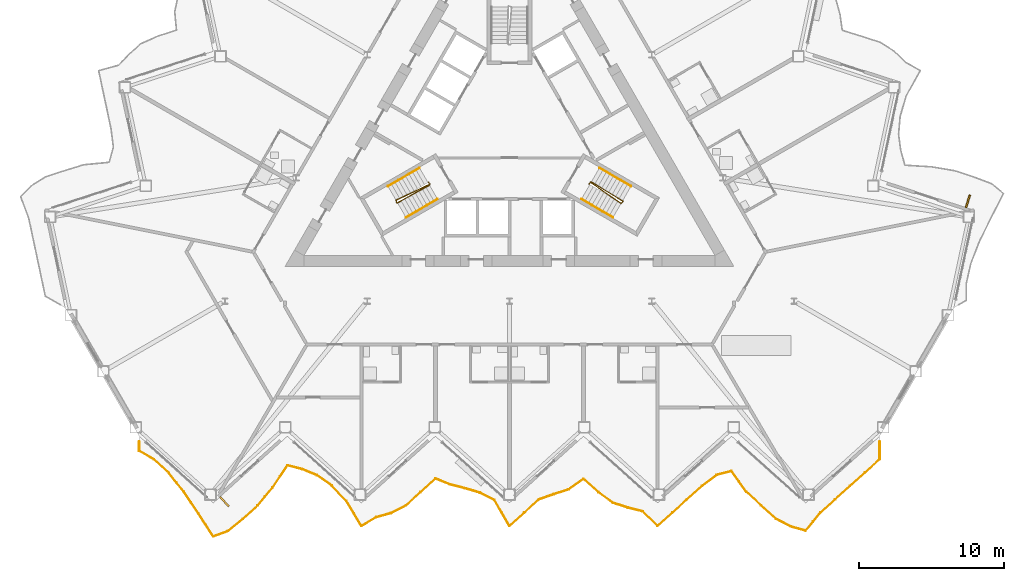
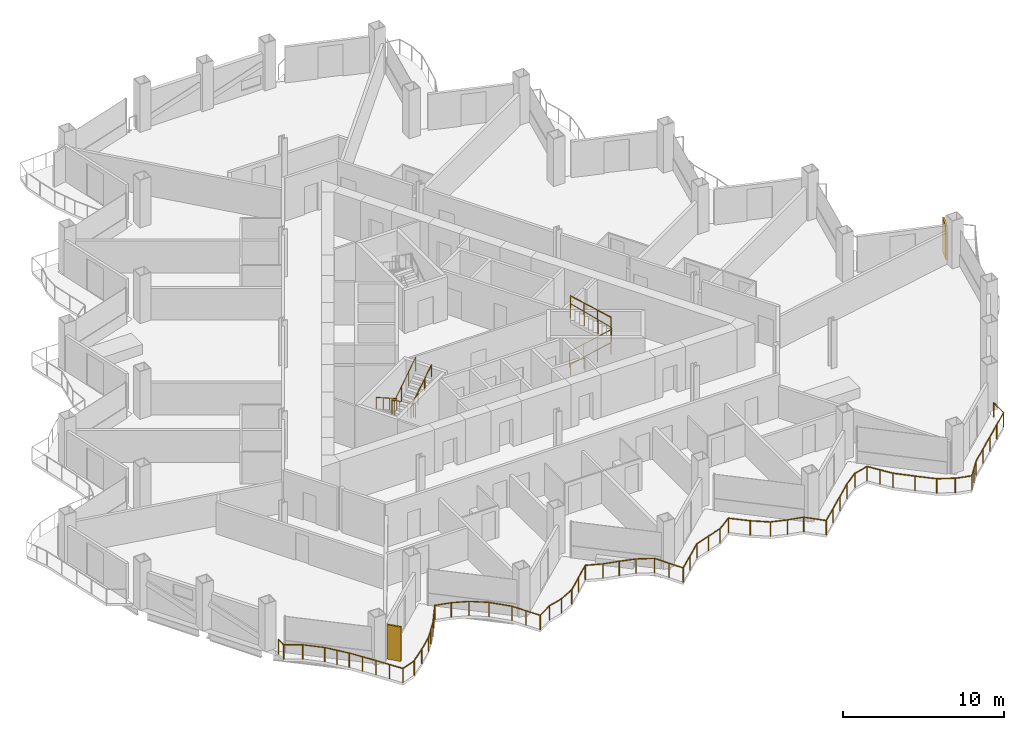
# One storey, part 19 of 23: 7 railings, 2 shading devices.
"""IFC4 building model written with IfcOpenShell, lengths in metres."""

from ifc_helpers import new_model, si_unit, direction, frame, origin, origin_2d, place, context, subcontext, project, spatial, rectangle, circle, extrude, material, layer, layer_set, type_object, element, save


model = new_model("IFC4")

# Units and contexts
model_context = context("Model", 3, precision=1e-05, world=origin(), true_north=direction((0.0, 1.0)))
body_context = subcontext(model_context, "Body", "Model", "MODEL_VIEW")
ifc_project = project(units=[si_unit("LENGTHUNIT", "METRE"), si_unit("AREAUNIT", "SQUARE_METRE"), si_unit("VOLUMEUNIT", "CUBIC_METRE"), si_unit("PLANEANGLEUNIT", "RADIAN"), si_unit("MASSUNIT", "GRAM", prefix="KILO")], contexts=[model_context])

# Site, building, storey
site_placement = place(None, origin())
site = spatial("IfcSite", under=ifc_project, at=site_placement, CompositionType="ELEMENT")
building_placement = place(site_placement, origin())
building = spatial("IfcBuilding", under=site, at=building_placement, Name="Cormorant Prow Tower", CompositionType="ELEMENT")
storey_placement = place(building_placement, frame((0.0, 0.0, 176.39990234375)))
storey = spatial("IfcBuildingStorey", under=building, at=storey_placement, Name="L37", CompositionType="ELEMENT", Elevation=176.39990234375)

# Railings
ifc_material_1 = material(Name="Aluminium 6063-T6", Category="aluminium")
railing_type_1 = type_object("IfcRailingType", Name="Balcony guard 1100", PredefinedType="GUARDRAIL", material=ifc_material_1)
railing_1_placement = place(storey_placement, frame((-25.57861328125, -21.064453125, 0.0)))
element("IfcRailing", 1, at=railing_1_placement, inside=storey, type_object=railing_type_1, Name="Balcony guard S", PredefinedType="GUARDRAIL", context=body_context, shape_type="SweptSolid", body=[
    extrude(circle(Radius=0.02392578125, at=origin_2d()), frame((0.0, 0.0, 1.076171875), z_axis=(0.0, -1.0, 0.0), x_axis=(1.0, 0.0, 0.0)), (0.0, 0.0, 1.0), 0.635986328125),
    extrude(circle(Radius=0.02392578125, at=origin_2d()), frame((0.0, -0.635986328125, 1.076171875), z_axis=(0.865369732792, -0.501133939748, 0.0), x_axis=(0.501133939748, 0.865369732792, 0.0)), (0.0, 0.0, 1.0), 1.182373046875),
    extrude(circle(Radius=0.02392578125, at=origin_2d()), frame((1.023193359375, -1.228515625, 1.076171875), z_axis=(0.737044630503, -0.675844074212, 0.0), x_axis=(0.675844074212, 0.737044630503, 0.0)), (0.0, 0.0, 1.0), 1.38818359375),
    extrude(circle(Radius=0.02392578125, at=origin_2d()), frame((2.04638671875, -2.166748046875, 1.076171875), z_axis=(0.624604168545, -0.780941503979, 0.0), x_axis=(0.780941503979, 0.624604168545, 0.0)), (0.0, 0.0, 1.0), 1.63818359375),
    extrude(circle(Radius=0.02392578125, at=origin_2d()), frame((3.069580078125, -3.446044921875, 1.076171875), z_axis=(0.558755771725, -0.829332254024, 0.0), x_axis=(0.829332254024, 0.558755771725, 0.0)), (0.0, 0.0, 1.0), 1.830810546875),
    extrude(circle(Radius=0.02392578125, at=origin_2d()), frame((4.092529296875, -4.96435546875, 1.076171875), z_axis=(0.541894185952, -0.840446721233, 0.0), x_axis=(0.840446721233, 0.541894185952, 0.0)), (0.0, 0.0, 1.0), 1.88818359375),
    extrude(circle(Radius=0.02392578125, at=origin_2d()), frame((5.11572265625, -6.55126953125, 1.076171875), z_axis=(0.938419551979, 0.345497821213, 0.0), x_axis=(-0.345497821213, 0.938419551979, 0.0)), (0.0, 0.0, 1.0), 1.09033203125),
    extrude(circle(Radius=0.02392578125, at=origin_2d()), frame((6.138916015625, -6.174560546875, 1.076171875), z_axis=(0.772600298956, 0.634892729564, 0.0), x_axis=(-0.634892729564, 0.772600298956, 0.0)), (0.0, 0.0, 1.0), 1.324462890625),
    extrude(circle(Radius=0.02392578125, at=origin_2d()), frame((7.162109375, -5.333740234375, 1.076171875), z_axis=(0.743108970185, 0.66917042555, 0.0), x_axis=(-0.66917042555, 0.743108970185, 0.0)), (0.0, 0.0, 1.0), 1.376953125),
    extrude(circle(Radius=0.02392578125, at=origin_2d()), frame((8.185302734375, -4.412353515625, 1.076171875), z_axis=(0.638534063687, 0.769593561246, 0.0), x_axis=(-0.769593561246, 0.638534063687, 0.0)), (0.0, 0.0, 1.0), 1.60205078125),
    extrude(circle(Radius=0.02392578125, at=origin_2d()), frame((9.208251953125, -3.179443359375, 1.076171875), z_axis=(0.55199216569, 0.833849296346, 0.0), x_axis=(-0.833849296346, 0.55199216569, 0.0)), (0.0, 0.0, 1.0), 1.853515625),
    extrude(circle(Radius=0.02392578125, at=origin_2d()), frame((10.2314453125, -1.6337890625, 1.076171875), z_axis=(0.968196134659, -0.250192415613, 0.0), x_axis=(0.250192415613, 0.968196134659, 0.0)), (0.0, 0.0, 1.0), 1.056884765625),
    extrude(circle(Radius=0.02392578125, at=origin_2d()), frame((11.254638671875, -1.898193359375, 1.076171875), z_axis=(0.925353395226, -0.379105650108, 0.0), x_axis=(0.379105650108, 0.925353395226, 0.0)), (0.0, 0.0, 1.0), 1.105712890625),
    extrude(circle(Radius=0.02392578125, at=origin_2d()), frame((12.27783203125, -2.3173828125, 1.076171875), z_axis=(0.818837032919, -0.574026056482, 0.0), x_axis=(0.574026056482, 0.818837032919, 0.0)), (0.0, 0.0, 1.0), 1.24951171875),
    extrude(circle(Radius=0.02392578125, at=origin_2d()), frame((13.301025390625, -3.03466796875, 1.076171875), z_axis=(0.689860705611, -0.723942129492, 0.0), x_axis=(0.723942129492, 0.689860705611, 0.0)), (0.0, 0.0, 1.0), 1.48291015625),
    extrude(circle(Radius=0.02392578125, at=origin_2d()), frame((14.323974609375, -4.108154296875, 1.076171875), z_axis=(0.511692052021, -0.859168926288, 0.0), x_axis=(0.859168926288, 0.511692052021, 0.0)), (0.0, 0.0, 1.0), 1.99951171875),
    extrude(circle(Radius=0.02392578125, at=origin_2d()), frame((15.34716796875, -5.826171875, 1.076171875), z_axis=(0.859891332532, 0.510477126065, 0.0), x_axis=(-0.510477126065, 0.859891332532, 0.0)), (0.0, 0.0, 1.0), 1.18994140625),
    extrude(circle(Radius=0.02392578125, at=origin_2d()), frame((16.370361328125, -5.21875, 1.076171875), z_axis=(0.964588333713, 0.263760016806, 0.0), x_axis=(-0.263760016806, 0.964588333713, 0.0)), (0.0, 0.0, 1.0), 1.060791015625),
    extrude(circle(Radius=0.02392578125, at=origin_2d()), frame((17.3935546875, -4.93896484375, 1.076171875), z_axis=(0.889102794107, 0.45770757205, 0.0), x_axis=(-0.45770757205, 0.889102794107, 0.0)), (0.0, 0.0, 1.0), 1.150634765625),
    extrude(circle(Radius=0.02392578125, at=origin_2d()), frame((18.41650390625, -4.412353515625, 1.076171875), z_axis=(0.743197144854, 0.669072495236, 0.0), x_axis=(-0.669072495236, 0.743197144854, 0.0)), (0.0, 0.0, 1.0), 1.376708984375),
    extrude(circle(Radius=0.02392578125, at=origin_2d()), frame((19.439697265625, -3.4912109375, 1.076171875), z_axis=(0.735819025592, 0.677178234719, 0.0), x_axis=(-0.677178234719, 0.735819025592, 0.0)), (0.0, 0.0, 1.0), 1.390625),
    extrude(circle(Radius=0.02392578125, at=origin_2d()), frame((20.462890625, -2.549560546875, 1.076171875), z_axis=(0.92843085009, -0.371505257838, 0.0), x_axis=(0.371505257838, 0.92843085009, 0.0)), (0.0, 0.0, 1.0), 1.10205078125),
    extrude(circle(Radius=0.02392578125, at=origin_2d()), frame((21.486083984375, -2.958984375, 1.076171875), z_axis=(0.968753639264, -0.24802497135, 0.0), x_axis=(0.24802497135, 0.968753639264, 0.0)), (0.0, 0.0, 1.0), 1.05615234375),
    extrude(circle(Radius=0.02392578125, at=origin_2d()), frame((22.50927734375, -3.220947265625, 1.076171875), z_axis=(0.959077058779, -0.283145184179, 0.0), x_axis=(0.283145184179, 0.959077058779, 0.0)), (0.0, 0.0, 1.0), 1.066650390625),
    extrude(circle(Radius=0.02392578125, at=origin_2d()), frame((23.5322265625, -3.52294921875, 1.076171875), z_axis=(0.891730183894, -0.45256743048, 0.0), x_axis=(0.45256743048, 0.891730183894, 0.0)), (0.0, 0.0, 1.0), 1.1474609375),
    extrude(circle(Radius=0.02392578125, at=origin_2d()), frame((24.555419921875, -4.042236328125, 1.076171875), z_axis=(0.497531823111, -0.867445724522, 0.0), x_axis=(0.867445724522, 0.497531823111, 0.0)), (0.0, 0.0, 1.0), 2.056640625),
    extrude(circle(Radius=0.02392578125, at=origin_2d()), frame((25.57861328125, -5.826171875, 1.076171875), z_axis=(0.743108970185, 0.66917042555, 0.0), x_axis=(-0.66917042555, 0.743108970185, 0.0)), (0.0, 0.0, 1.0), 1.376953125),
    extrude(circle(Radius=0.02392578125, at=origin_2d()), frame((26.601806640625, -4.90478515625, 1.076171875), z_axis=(0.743197144854, 0.669072495236, 0.0), x_axis=(-0.669072495236, 0.743197144854, 0.0)), (0.0, 0.0, 1.0), 1.376708984375),
    extrude(circle(Radius=0.02392578125, at=origin_2d()), frame((27.625, -3.983642578125, 1.076171875), z_axis=(0.945152226012, 0.326630172617, 0.0), x_axis=(-0.326630172617, 0.945152226012, 0.0)), (0.0, 0.0, 1.0), 1.082275390625),
    extrude(circle(Radius=0.02392578125, at=origin_2d()), frame((28.64794921875, -3.630126953125, 1.076171875), z_axis=(0.951438651786, 0.307838418473, 0.0), x_axis=(-0.307838418473, 0.951438651786, 0.0)), (0.0, 0.0, 1.0), 1.075439453125),
    extrude(circle(Radius=0.02392578125, at=origin_2d()), frame((29.671142578125, -3.299072265625, 1.076171875), z_axis=(0.81442879242, 0.580263510896, 0.0), x_axis=(-0.580263510896, 0.81442879242, 0.0)), (0.0, 0.0, 1.0), 1.25634765625),
    extrude(circle(Radius=0.02392578125, at=origin_2d()), frame((30.6943359375, -2.570068359375, 1.076171875), z_axis=(0.743197144854, -0.669072495236, 0.0), x_axis=(0.669072495236, 0.743197144854, 0.0)), (0.0, 0.0, 1.0), 1.376708984375),
    extrude(circle(Radius=0.02392578125, at=origin_2d()), frame((31.717529296875, -3.4912109375, 1.076171875), z_axis=(0.812041196675, -0.583600115578, 0.0), x_axis=(0.583600115578, 0.812041196675, 0.0)), (0.0, 0.0, 1.0), 1.260009765625),
    extrude(circle(Radius=0.02392578125, at=origin_2d()), frame((32.74072265625, -4.2265625, 1.076171875), z_axis=(0.950950641139, -0.309342654862, 0.0), x_axis=(0.309342654862, 0.950950641139, 0.0)), (0.0, 0.0, 1.0), 1.07568359375),
    extrude(circle(Radius=0.02392578125, at=origin_2d()), frame((33.763671875, -4.559326171875, 1.076171875), z_axis=(0.970400732326, -0.241500349276, 0.0), x_axis=(0.241500349276, 0.970400732326, 0.0)), (0.0, 0.0, 1.0), 1.054443359375),
    extrude(circle(Radius=0.02392578125, at=origin_2d()), frame((34.786865234375, -4.81396484375, 1.076171875), z_axis=(0.710913122536, -0.703279839187, 0.0), x_axis=(0.703279839187, 0.710913122536, 0.0)), (0.0, 0.0, 1.0), 1.439208984375),
    extrude(circle(Radius=0.02392578125, at=origin_2d()), frame((35.81005859375, -5.826171875, 1.076171875), z_axis=(0.743108970185, 0.66917042555, 0.0), x_axis=(-0.66917042555, 0.743108970185, 0.0)), (0.0, 0.0, 1.0), 1.376953125),
    extrude(circle(Radius=0.02392578125, at=origin_2d()), frame((36.833251953125, -4.90478515625, 1.076171875), z_axis=(0.743117745205, 0.669160680825, 0.0), x_axis=(-0.669160680825, 0.743117745205, 0.0)), (0.0, 0.0, 1.0), 1.37646484375),
    extrude(circle(Radius=0.02392578125, at=origin_2d()), frame((37.856201171875, -3.983642578125, 1.076171875), z_axis=(0.743197144854, 0.669072495236, 0.0), x_axis=(-0.669072495236, 0.743197144854, 0.0)), (0.0, 0.0, 1.0), 1.376708984375),
    extrude(circle(Radius=0.02392578125, at=origin_2d()), frame((38.87939453125, -3.0625, 1.076171875), z_axis=(0.798557204697, 0.601918923798, 0.0), x_axis=(-0.601918923798, 0.798557204697, 0.0)), (0.0, 0.0, 1.0), 1.28125),
    extrude(circle(Radius=0.02392578125, at=origin_2d()), frame((39.902587890625, -2.291259765625, 1.076171875), z_axis=(0.968975460604, 0.247156947599, 0.0), x_axis=(-0.247156947599, 0.968975460604, 0.0)), (0.0, 0.0, 1.0), 1.055908203125),
    extrude(circle(Radius=0.02392578125, at=origin_2d()), frame((40.92578125, -2.0302734375, 1.076171875), z_axis=(0.580347116889, -0.814369218426, 0.0), x_axis=(0.814369218426, 0.580347116889, 0.0)), (0.0, 0.0, 1.0), 1.76318359375),
    extrude(circle(Radius=0.02392578125, at=origin_2d()), frame((41.948974609375, -3.466064453125, 1.076171875), z_axis=(0.734077605902, -0.679065584839, 0.0), x_axis=(0.679065584839, 0.734077605902, 0.0)), (0.0, 0.0, 1.0), 1.3935546875),
    extrude(circle(Radius=0.02392578125, at=origin_2d()), frame((42.971923828125, -4.412353515625, 1.076171875), z_axis=(0.743108970185, -0.66917042555, 0.0), x_axis=(0.66917042555, 0.743108970185, 0.0)), (0.0, 0.0, 1.0), 1.376953125),
    extrude(circle(Radius=0.02392578125, at=origin_2d()), frame((43.9951171875, -5.333740234375, 1.076171875), z_axis=(0.886724390847, -0.462298447626, 0.0), x_axis=(0.462298447626, 0.886724390847, 0.0)), (0.0, 0.0, 1.0), 1.15380859375),
    extrude(circle(Radius=0.02392578125, at=origin_2d()), frame((45.018310546875, -5.8671875, 1.076171875), z_axis=(0.96423626766, -0.265044185241, 0.0), x_axis=(0.265044185241, 0.96423626766, 0.0)), (0.0, 0.0, 1.0), 1.06103515625),
    extrude(circle(Radius=0.02392578125, at=origin_2d()), frame((46.04150390625, -6.1484375, 1.076171875), z_axis=(0.635340536651, 0.772232091076, 0.0), x_axis=(-0.772232091076, 0.635340536651, 0.0)), (0.0, 0.0, 1.0), 1.6103515625),
    extrude(circle(Radius=0.02392578125, at=origin_2d()), frame((47.064697265625, -4.90478515625, 1.076171875), z_axis=(0.743117745205, 0.669160680825, 0.0), x_axis=(-0.669160680825, 0.743117745205, 0.0)), (0.0, 0.0, 1.0), 1.37646484375),
    extrude(circle(Radius=0.02392578125, at=origin_2d()), frame((48.087646484375, -3.983642578125, 1.076171875), z_axis=(0.743197144854, 0.669072495236, 0.0), x_axis=(-0.669072495236, 0.743197144854, 0.0)), (0.0, 0.0, 1.0), 1.376708984375),
    extrude(circle(Radius=0.02392578125, at=origin_2d()), frame((49.11083984375, -3.0625, 1.076171875), z_axis=(0.743108970185, 0.66917042555, 0.0), x_axis=(-0.66917042555, 0.743108970185, 0.0)), (0.0, 0.0, 1.0), 1.376953125),
    extrude(circle(Radius=0.02392578125, at=origin_2d()), frame((50.134033203125, -2.14111328125, 1.076171875), z_axis=(0.743197144854, 0.669072495236, 0.0), x_axis=(-0.669072495236, 0.743197144854, 0.0)), (0.0, 0.0, 1.0), 1.376708984375),
    extrude(circle(Radius=0.02392578125, at=origin_2d()), frame((51.1572265625, -1.219970703125, 1.076171875), z_axis=(0.0, 1.0, 0.0), x_axis=(-1.0, 0.0, 0.0)), (0.0, 0.0, 1.0), 1.219970703125),
    extrude(circle(Radius=0.02099609375, at=origin_2d()), origin(), (0.0, 0.0, 1.0), 1.052001953125),
    extrude(circle(Radius=0.02099609375, at=origin_2d()), frame((0.0, -0.635986328125, 0.0)), (0.0, 0.0, 1.0), 1.052001953125),
    extrude(circle(Radius=0.02099609375, at=origin_2d()), frame((1.023193359375, -1.228515625, 0.0)), (0.0, 0.0, 1.0), 1.052001953125),
    extrude(circle(Radius=0.02099609375, at=origin_2d()), frame((2.04638671875, -2.166748046875, 0.0)), (0.0, 0.0, 1.0), 1.052001953125),
    extrude(circle(Radius=0.02099609375, at=origin_2d()), frame((2.55810546875, -2.806396484375, 0.0)), (0.0, 0.0, 1.0), 1.052001953125),
    extrude(circle(Radius=0.02099609375, at=origin_2d()), frame((3.069580078125, -3.446044921875, 0.0)), (0.0, 0.0, 1.0), 1.052001953125),
    extrude(circle(Radius=0.02099609375, at=origin_2d()), frame((3.5810546875, -4.205078125, 0.0)), (0.0, 0.0, 1.0), 1.052001953125),
    extrude(circle(Radius=0.02099609375, at=origin_2d()), frame((4.092529296875, -4.96435546875, 0.0)), (0.0, 0.0, 1.0), 1.052001953125),
    extrude(circle(Radius=0.02099609375, at=origin_2d()), frame((4.60400390625, -5.7578125, 0.0)), (0.0, 0.0, 1.0), 1.052001953125),
    extrude(circle(Radius=0.02099609375, at=origin_2d()), frame((5.11572265625, -6.55126953125, 0.0)), (0.0, 0.0, 1.0), 1.052001953125),
    extrude(circle(Radius=0.02099609375, at=origin_2d()), frame((6.138916015625, -6.174560546875, 0.0)), (0.0, 0.0, 1.0), 1.052001953125),
    extrude(circle(Radius=0.02099609375, at=origin_2d()), frame((7.162109375, -5.333740234375, 0.0)), (0.0, 0.0, 1.0), 1.052001953125),
    extrude(circle(Radius=0.02099609375, at=origin_2d()), frame((8.185302734375, -4.412353515625, 0.0)), (0.0, 0.0, 1.0), 1.052001953125),
    extrude(circle(Radius=0.02099609375, at=origin_2d()), frame((8.69677734375, -3.7958984375, 0.0)), (0.0, 0.0, 1.0), 1.052001953125),
    extrude(circle(Radius=0.02099609375, at=origin_2d()), frame((9.208251953125, -3.179443359375, 0.0)), (0.0, 0.0, 1.0), 1.052001953125),
    extrude(circle(Radius=0.02099609375, at=origin_2d()), frame((9.7197265625, -2.40673828125, 0.0)), (0.0, 0.0, 1.0), 1.052001953125),
    extrude(circle(Radius=0.02099609375, at=origin_2d()), frame((10.2314453125, -1.6337890625, 0.0)), (0.0, 0.0, 1.0), 1.052001953125),
    extrude(circle(Radius=0.02099609375, at=origin_2d()), frame((11.254638671875, -1.898193359375, 0.0)), (0.0, 0.0, 1.0), 1.052001953125),
    extrude(circle(Radius=0.02099609375, at=origin_2d()), frame((12.27783203125, -2.3173828125, 0.0)), (0.0, 0.0, 1.0), 1.052001953125),
    extrude(circle(Radius=0.02099609375, at=origin_2d()), frame((13.301025390625, -3.03466796875, 0.0)), (0.0, 0.0, 1.0), 1.052001953125),
    extrude(circle(Radius=0.02099609375, at=origin_2d()), frame((14.323974609375, -4.108154296875, 0.0)), (0.0, 0.0, 1.0), 1.052001953125),
    extrude(circle(Radius=0.02099609375, at=origin_2d()), frame((14.83544921875, -4.96728515625, 0.0)), (0.0, 0.0, 1.0), 1.052001953125),
    extrude(circle(Radius=0.02099609375, at=origin_2d()), frame((15.34716796875, -5.826171875, 0.0)), (0.0, 0.0, 1.0), 1.052001953125),
    extrude(circle(Radius=0.02099609375, at=origin_2d()), frame((16.370361328125, -5.21875, 0.0)), (0.0, 0.0, 1.0), 1.052001953125),
    extrude(circle(Radius=0.02099609375, at=origin_2d()), frame((17.3935546875, -4.93896484375, 0.0)), (0.0, 0.0, 1.0), 1.052001953125),
    extrude(circle(Radius=0.02099609375, at=origin_2d()), frame((18.41650390625, -4.412353515625, 0.0)), (0.0, 0.0, 1.0), 1.052001953125),
    extrude(circle(Radius=0.02099609375, at=origin_2d()), frame((19.439697265625, -3.4912109375, 0.0)), (0.0, 0.0, 1.0), 1.052001953125),
    extrude(circle(Radius=0.02099609375, at=origin_2d()), frame((20.462890625, -2.549560546875, 0.0)), (0.0, 0.0, 1.0), 1.052001953125),
    extrude(circle(Radius=0.02099609375, at=origin_2d()), frame((21.486083984375, -2.958984375, 0.0)), (0.0, 0.0, 1.0), 1.052001953125),
    extrude(circle(Radius=0.02099609375, at=origin_2d()), frame((22.50927734375, -3.220947265625, 0.0)), (0.0, 0.0, 1.0), 1.052001953125),
    extrude(circle(Radius=0.02099609375, at=origin_2d()), frame((23.5322265625, -3.52294921875, 0.0)), (0.0, 0.0, 1.0), 1.052001953125),
    extrude(circle(Radius=0.02099609375, at=origin_2d()), frame((24.555419921875, -4.042236328125, 0.0)), (0.0, 0.0, 1.0), 1.052001953125),
    extrude(circle(Radius=0.02099609375, at=origin_2d()), frame((25.06689453125, -4.93408203125, 0.0)), (0.0, 0.0, 1.0), 1.052001953125),
    extrude(circle(Radius=0.02099609375, at=origin_2d()), frame((25.57861328125, -5.826171875, 0.0)), (0.0, 0.0, 1.0), 1.052001953125),
    extrude(circle(Radius=0.02099609375, at=origin_2d()), frame((26.601806640625, -4.90478515625, 0.0)), (0.0, 0.0, 1.0), 1.052001953125),
    extrude(circle(Radius=0.02099609375, at=origin_2d()), frame((27.625, -3.983642578125, 0.0)), (0.0, 0.0, 1.0), 1.052001953125),
    extrude(circle(Radius=0.02099609375, at=origin_2d()), frame((28.64794921875, -3.630126953125, 0.0)), (0.0, 0.0, 1.0), 1.052001953125),
    extrude(circle(Radius=0.02099609375, at=origin_2d()), frame((29.671142578125, -3.299072265625, 0.0)), (0.0, 0.0, 1.0), 1.052001953125),
    extrude(circle(Radius=0.02099609375, at=origin_2d()), frame((30.6943359375, -2.570068359375, 0.0)), (0.0, 0.0, 1.0), 1.052001953125),
    extrude(circle(Radius=0.02099609375, at=origin_2d()), frame((31.717529296875, -3.4912109375, 0.0)), (0.0, 0.0, 1.0), 1.052001953125),
    extrude(circle(Radius=0.02099609375, at=origin_2d()), frame((32.74072265625, -4.2265625, 0.0)), (0.0, 0.0, 1.0), 1.052001953125),
    extrude(circle(Radius=0.02099609375, at=origin_2d()), frame((33.763671875, -4.559326171875, 0.0)), (0.0, 0.0, 1.0), 1.052001953125),
    extrude(circle(Radius=0.02099609375, at=origin_2d()), frame((34.786865234375, -4.81396484375, 0.0)), (0.0, 0.0, 1.0), 1.052001953125),
    extrude(circle(Radius=0.02099609375, at=origin_2d()), frame((35.81005859375, -5.826171875, 0.0)), (0.0, 0.0, 1.0), 1.052001953125),
    extrude(circle(Radius=0.02099609375, at=origin_2d()), frame((36.833251953125, -4.90478515625, 0.0)), (0.0, 0.0, 1.0), 1.052001953125),
    extrude(circle(Radius=0.02099609375, at=origin_2d()), frame((37.856201171875, -3.983642578125, 0.0)), (0.0, 0.0, 1.0), 1.052001953125),
    extrude(circle(Radius=0.02099609375, at=origin_2d()), frame((38.87939453125, -3.0625, 0.0)), (0.0, 0.0, 1.0), 1.052001953125),
    extrude(circle(Radius=0.02099609375, at=origin_2d()), frame((39.902587890625, -2.291259765625, 0.0)), (0.0, 0.0, 1.0), 1.052001953125),
    extrude(circle(Radius=0.02099609375, at=origin_2d()), frame((40.92578125, -2.0302734375, 0.0)), (0.0, 0.0, 1.0), 1.052001953125),
    extrude(circle(Radius=0.02099609375, at=origin_2d()), frame((41.4375, -2.748046875, 0.0)), (0.0, 0.0, 1.0), 1.052001953125),
    extrude(circle(Radius=0.02099609375, at=origin_2d()), frame((41.948974609375, -3.466064453125, 0.0)), (0.0, 0.0, 1.0), 1.052001953125),
    extrude(circle(Radius=0.02099609375, at=origin_2d()), frame((42.971923828125, -4.412353515625, 0.0)), (0.0, 0.0, 1.0), 1.052001953125),
    extrude(circle(Radius=0.02099609375, at=origin_2d()), frame((43.9951171875, -5.333740234375, 0.0)), (0.0, 0.0, 1.0), 1.052001953125),
    extrude(circle(Radius=0.02099609375, at=origin_2d()), frame((45.018310546875, -5.8671875, 0.0)), (0.0, 0.0, 1.0), 1.052001953125),
    extrude(circle(Radius=0.02099609375, at=origin_2d()), frame((46.04150390625, -6.1484375, 0.0)), (0.0, 0.0, 1.0), 1.052001953125),
    extrude(circle(Radius=0.02099609375, at=origin_2d()), frame((46.55322265625, -5.526611328125, 0.0)), (0.0, 0.0, 1.0), 1.052001953125),
    extrude(circle(Radius=0.02099609375, at=origin_2d()), frame((47.064697265625, -4.90478515625, 0.0)), (0.0, 0.0, 1.0), 1.052001953125),
    extrude(circle(Radius=0.02099609375, at=origin_2d()), frame((48.087646484375, -3.983642578125, 0.0)), (0.0, 0.0, 1.0), 1.052001953125),
    extrude(circle(Radius=0.02099609375, at=origin_2d()), frame((49.11083984375, -3.0625, 0.0)), (0.0, 0.0, 1.0), 1.052001953125),
    extrude(circle(Radius=0.02099609375, at=origin_2d()), frame((50.134033203125, -2.14111328125, 0.0)), (0.0, 0.0, 1.0), 1.052001953125),
    extrude(circle(Radius=0.02099609375, at=origin_2d()), frame((51.1572265625, -1.219970703125, 0.0)), (0.0, 0.0, 1.0), 1.052001953125),
    extrude(circle(Radius=0.02099609375, at=origin_2d()), frame((51.1572265625, 0.0, 0.0)), (0.0, 0.0, 1.0), 1.052001953125),
])
ifc_material_2 = material(Name="Stainless steel", Category="steel")
railing_type_2 = type_object("IfcRailingType", Name="Stair guard 1100", PredefinedType="GUARDRAIL", material=ifc_material_2)
railing_2_placement = place(storey_placement, frame((-5.585205078125, -3.137939453125, 0.0)))
element("IfcRailing", 2, at=railing_2_placement, inside=storey, type_object=railing_type_2, Name="L37 ST1 stair guard 1", PredefinedType="GUARDRAIL", context=body_context, shape_type="SweptSolid", body=[
    extrude(circle(Radius=0.02392578125, at=origin_2d()), frame((0.0, 0.0, 1.076171875), z_axis=(0.501036270542, -0.865426285481, 0.0), x_axis=(0.865426285481, 0.501036270542, 0.0)), (0.0, 0.0, 1.0), 0.150146484375),
    extrude(circle(Radius=0.02392578125, at=origin_2d()), frame((0.0751953125, -0.1298828125, 1.076171875), z_axis=(-0.739707038506, -0.353624380995, 0.572523619033), x_axis=(0.431308035802, -0.902204731895, 0.0)), (0.0, 0.0, 1.0), 3.14404296875),
    extrude(circle(Radius=0.02392578125, at=origin_2d()), frame((-2.25048828125, -1.24169921875, 2.8759765625), z_axis=(0.274721127897, -0.961523947641, 0.0), x_axis=(0.961523947641, 0.274721127897, 0.0)), (0.0, 0.0, 1.0), 0.2060546875),
    extrude(circle(Radius=0.02392578125, at=origin_2d()), frame((-2.19384765625, -1.43994140625, 2.8759765625), z_axis=(0.717223475266, 0.39568267656, 0.573607623727), x_axis=(-0.483052234887, 0.87559153626, 0.0)), (0.0, 0.0, 1.0), 3.13818359375),
    extrude(circle(Radius=0.02099609375, at=origin_2d()), origin(), (0.0, 0.0, 1.0), 1.052001953125),
    extrude(circle(Radius=0.02099609375, at=origin_2d()), frame((0.0751953125, -0.1298828125, 0.0)), (0.0, 0.0, 1.0), 1.052001953125),
    extrude(circle(Radius=0.02099609375, at=origin_2d()), frame((-0.699951171875, -0.50048828125, 0.60009765625)), (0.0, 0.0, 1.0), 1.052001953125),
    extrude(circle(Radius=0.02099609375, at=origin_2d()), frame((-1.475341796875, -0.87109375, 1.199951171875)), (0.0, 0.0, 1.0), 1.052001953125),
    extrude(circle(Radius=0.02099609375, at=origin_2d()), frame((-2.25048828125, -1.24169921875, 1.800048828125)), (0.0, 0.0, 1.0), 1.052001953125),
    extrude(circle(Radius=0.02099609375, at=origin_2d()), frame((-2.19384765625, -1.43994140625, 1.800048828125)), (0.0, 0.0, 1.0), 1.052001953125),
    extrude(circle(Radius=0.02099609375, at=origin_2d()), frame((-1.443603515625, -1.026123046875, 2.400146484375)), (0.0, 0.0, 1.0), 1.052001953125),
    extrude(circle(Radius=0.02099609375, at=origin_2d()), frame((-0.693359375, -0.612060546875, 3.0)), (0.0, 0.0, 1.0), 1.052001953125),
    extrude(circle(Radius=0.02099609375, at=origin_2d()), frame((0.056884765625, -0.1982421875, 3.60009765625)), (0.0, 0.0, 1.0), 1.052001953125),
])
railing_3_placement = place(storey_placement, frame((5.510009765625, -3.267822265625, 0.0)))
element("IfcRailing", 3, at=railing_3_placement, inside=storey, type_object=railing_type_2, Name="L37 ST2 stair guard 1", PredefinedType="GUARDRAIL", context=body_context, shape_type="SweptSolid", body=[
    extrude(circle(Radius=0.02392578125, at=origin_2d()), frame((0.0, 0.0, 1.076171875), z_axis=(0.501036270542, 0.865426285481, 0.0), x_axis=(-0.865426285481, 0.501036270542, 0.0)), (0.0, 0.0, 1.0), 0.150146484375),
    extrude(circle(Radius=0.02392578125, at=origin_2d()), frame((0.0751953125, 0.1298828125, 1.076171875), z_axis=(0.676058237057, -0.463829066155, 0.572545070276), x_axis=(0.565732651216, 0.824588726183, 0.0)), (0.0, 0.0, 1.0), 3.14404296875),
    extrude(circle(Radius=0.02392578125, at=origin_2d()), frame((2.20068359375, -1.328369140625, 2.8759765625), z_axis=(0.695164929852, 0.718850276695, 0.0), x_axis=(-0.718850276695, 0.695164929852, 0.0)), (0.0, 0.0, 1.0), 0.2060546875),
    extrude(circle(Radius=0.02392578125, at=origin_2d()), frame((2.343994140625, -1.18017578125, 2.8759765625), z_axis=(-0.70127624584, 0.423301980654, 0.573608804147), x_axis=(-0.516770599887, -0.856123908726, 0.0)), (0.0, 0.0, 1.0), 3.13818359375),
    extrude(circle(Radius=0.02099609375, at=origin_2d()), origin(), (0.0, 0.0, 1.0), 1.052001953125),
    extrude(circle(Radius=0.02099609375, at=origin_2d()), frame((0.0751953125, 0.1298828125, 0.0)), (0.0, 0.0, 1.0), 1.052001953125),
    extrude(circle(Radius=0.02099609375, at=origin_2d()), frame((0.78369140625, -0.356201171875, 0.60009765625)), (0.0, 0.0, 1.0), 1.052001953125),
    extrude(circle(Radius=0.02099609375, at=origin_2d()), frame((1.4921875, -0.84228515625, 1.199951171875)), (0.0, 0.0, 1.0), 1.052001953125),
    extrude(circle(Radius=0.02099609375, at=origin_2d()), frame((2.20068359375, -1.328369140625, 1.800048828125)), (0.0, 0.0, 1.0), 1.052001953125),
    extrude(circle(Radius=0.02099609375, at=origin_2d()), frame((2.343994140625, -1.18017578125, 1.800048828125)), (0.0, 0.0, 1.0), 1.052001953125),
    extrude(circle(Radius=0.02099609375, at=origin_2d()), frame((1.6103515625, -0.7373046875, 2.400146484375)), (0.0, 0.0, 1.0), 1.052001953125),
    extrude(circle(Radius=0.02099609375, at=origin_2d()), frame((0.876953125, -0.294677734375, 3.0)), (0.0, 0.0, 1.0), 1.052001953125),
    extrude(circle(Radius=0.02099609375, at=origin_2d()), frame((0.143310546875, 0.148193359375, 3.60009765625)), (0.0, 0.0, 1.0), 1.052001953125),
])
ifc_material_3 = material(Name="Stainless steel", Category="steel")
railing_type_3 = type_object("IfcRailingType", Name="Stair handrail 900", PredefinedType="HANDRAIL", material=ifc_material_3)
railing_4_placement = place(storey_placement, frame((-6.212890625, -2.150634765625, 0.18017578125)))
element("IfcRailing", 4, at=railing_4_placement, inside=storey, type_object=railing_type_3, Name="L37 ST1 stair handrail 1", PredefinedType="HANDRAIL", context=body_context, shape_type="SweptSolid", body=[
    extrude(circle(Radius=0.02392578125, at=origin_2d()), frame((0.0, 0.0, 0.8759765625), z_axis=(-0.72849590497, -0.42060268101, 0.54072830624), x_axis=(0.500004791531, -0.866022637375, 0.0)), (0.0, 0.0, 1.0), 2.99560546875),
    extrude(circle(Radius=0.02099609375, at=origin_2d()), origin(), (0.0, 0.0, 1.0), 0.851806640625),
    extrude(circle(Radius=0.02099609375, at=origin_2d()), frame((-0.7275390625, -0.419921875, 0.5400390625)), (0.0, 0.0, 1.0), 0.851806640625),
    extrude(circle(Radius=0.02099609375, at=origin_2d()), frame((-1.454833984375, -0.840087890625, 1.079833984375)), (0.0, 0.0, 1.0), 0.851806640625),
    extrude(circle(Radius=0.02099609375, at=origin_2d()), frame((-2.182373046875, -1.260009765625, 1.619873046875)), (0.0, 0.0, 1.0), 0.851806640625),
])
railing_5_placement = place(storey_placement, frame((-7.1513671875, -5.565185546875, 1.97998046875)))
element("IfcRailing", 5, at=railing_5_placement, inside=storey, type_object=railing_type_3, Name="L37 ST1 stair handrail 2", PredefinedType="HANDRAIL", context=body_context, shape_type="SweptSolid", body=[
    extrude(circle(Radius=0.02392578125, at=origin_2d()), frame((0.0, 0.0, 0.8759765625), z_axis=(0.728463801763, 0.420584145978, 0.540785970299), x_axis=(-0.500004791531, 0.866022637375, 0.0)), (0.0, 0.0, 1.0), 2.995849609375),
    extrude(circle(Radius=0.02099609375, at=origin_2d()), origin(), (0.0, 0.0, 1.0), 0.851806640625),
    extrude(circle(Radius=0.02099609375, at=origin_2d()), frame((0.7275390625, 0.419921875, 0.5400390625)), (0.0, 0.0, 1.0), 0.851806640625),
    extrude(circle(Radius=0.02099609375, at=origin_2d()), frame((1.454833984375, 0.840087890625, 1.080078125)), (0.0, 0.0, 1.0), 0.851806640625),
    extrude(circle(Radius=0.02099609375, at=origin_2d()), frame((2.182373046875, 1.260009765625, 1.6201171875)), (0.0, 0.0, 1.0), 0.851806640625),
])
railing_6_placement = place(storey_placement, frame((4.968994140625, -4.30517578125, 0.18017578125)))
element("IfcRailing", 6, at=railing_6_placement, inside=storey, type_object=railing_type_3, Name="L37 ST2 stair handrail 1", PredefinedType="HANDRAIL", context=body_context, shape_type="SweptSolid", body=[
    extrude(circle(Radius=0.02392578125, at=origin_2d()), frame((0.0, 0.0, 0.8759765625), z_axis=(0.72849590497, -0.42060268101, 0.54072830624), x_axis=(0.500004791531, 0.866022637375, 0.0)), (0.0, 0.0, 1.0), 2.99560546875),
    extrude(circle(Radius=0.02099609375, at=origin_2d()), origin(), (0.0, 0.0, 1.0), 0.851806640625),
    extrude(circle(Radius=0.02099609375, at=origin_2d()), frame((0.7275390625, -0.419921875, 0.5400390625)), (0.0, 0.0, 1.0), 0.851806640625),
    extrude(circle(Radius=0.02099609375, at=origin_2d()), frame((1.454833984375, -0.840087890625, 1.079833984375)), (0.0, 0.0, 1.0), 0.851806640625),
    extrude(circle(Radius=0.02099609375, at=origin_2d()), frame((2.182373046875, -1.260009765625, 1.619873046875)), (0.0, 0.0, 1.0), 0.851806640625),
])
railing_7_placement = place(storey_placement, frame((8.395263671875, -3.41064453125, 1.97998046875)))
element("IfcRailing", 7, at=railing_7_placement, inside=storey, type_object=railing_type_3, Name="L37 ST2 stair handrail 2", PredefinedType="HANDRAIL", context=body_context, shape_type="SweptSolid", body=[
    extrude(circle(Radius=0.02392578125, at=origin_2d()), frame((0.0, 0.0, 0.8759765625), z_axis=(-0.728463801763, 0.420584145978, 0.540785970299), x_axis=(-0.500004791531, -0.866022637375, 0.0)), (0.0, 0.0, 1.0), 2.995849609375),
    extrude(circle(Radius=0.02099609375, at=origin_2d()), origin(), (0.0, 0.0, 1.0), 0.851806640625),
    extrude(circle(Radius=0.02099609375, at=origin_2d()), frame((-0.7275390625, 0.419921875, 0.5400390625)), (0.0, 0.0, 1.0), 0.851806640625),
    extrude(circle(Radius=0.02099609375, at=origin_2d()), frame((-1.454833984375, 0.840087890625, 1.080078125)), (0.0, 0.0, 1.0), 0.851806640625),
    extrude(circle(Radius=0.02099609375, at=origin_2d()), frame((-2.182373046875, 1.260009765625, 1.6201171875)), (0.0, 0.0, 1.0), 0.851806640625),
])

# Shading devices
ifc_material_4 = material(Name="Terracotta", Category="masonry")
ifc_layer = layer(ifc_material_4, 0.1201171875)
ifc_layer_set = layer_set([ifc_layer], Name="Terracotta")
shading_device_type = type_object("IfcShadingDeviceType", Name="Terracotta baguette fin 120x900x2600", PredefinedType="USERDEFINED", material=ifc_layer_set)
for number, where, z_axis, x_axis, name in (
    (8, (-19.695068359375, -25.204833984375, 0.0), (0.0, 0.0, 1.0), (0.743144866726, 0.669130560548, 0.0), "Baguette fin S01"),
    (9, (31.675537109375, -4.4541015625, 0.0), (0.0, 0.0, 1.0), (-0.951056492009, 0.309017069121, 0.0), "Baguette fin ENE01"),
):
    element("IfcShadingDevice", number, at=place(storey_placement, frame(where, z_axis=z_axis, x_axis=x_axis)), inside=storey, type_object=shading_device_type, Name=name, ObjectType="BAGUETTE", PredefinedType="USERDEFINED", context=body_context, shape_type="SweptSolid", body=[
        extrude(rectangle(XDim=0.1201171875, YDim=0.89990234375, at=origin_2d()), origin(), (0.0, 0.0, 1.0), 2.60009765625),
    ])

save(model, "model.ifc")
